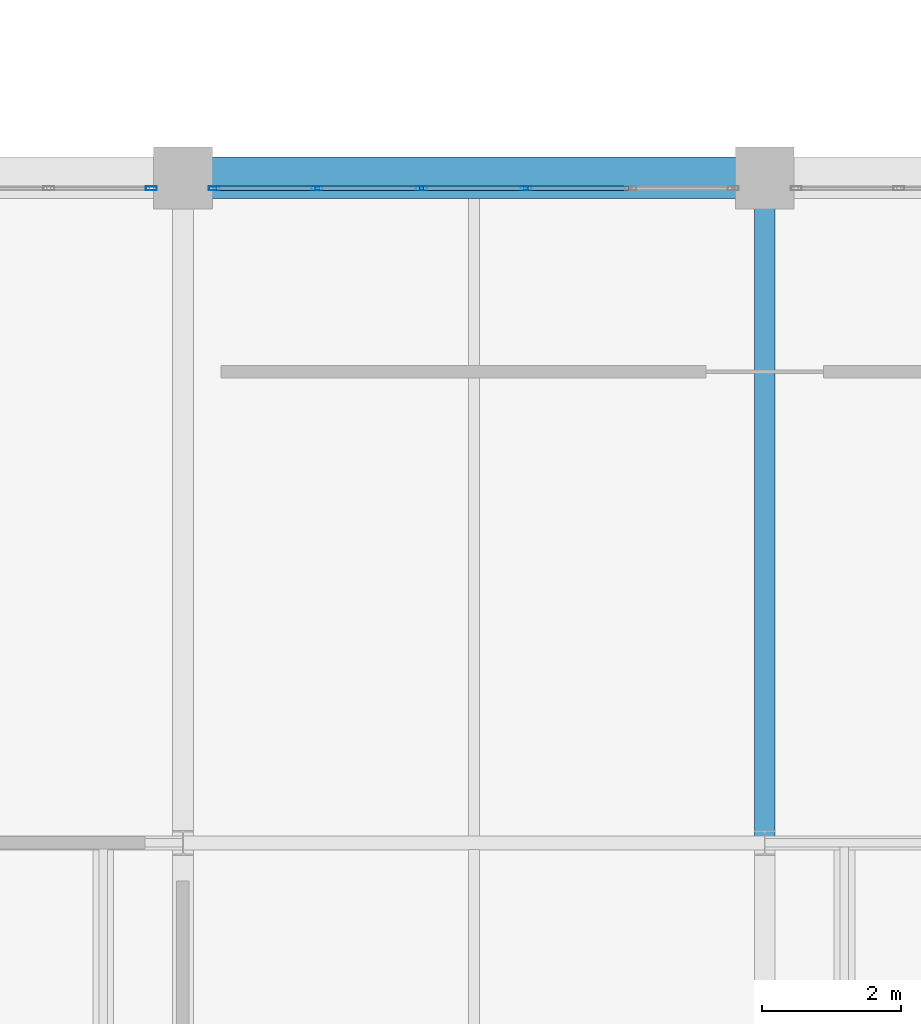
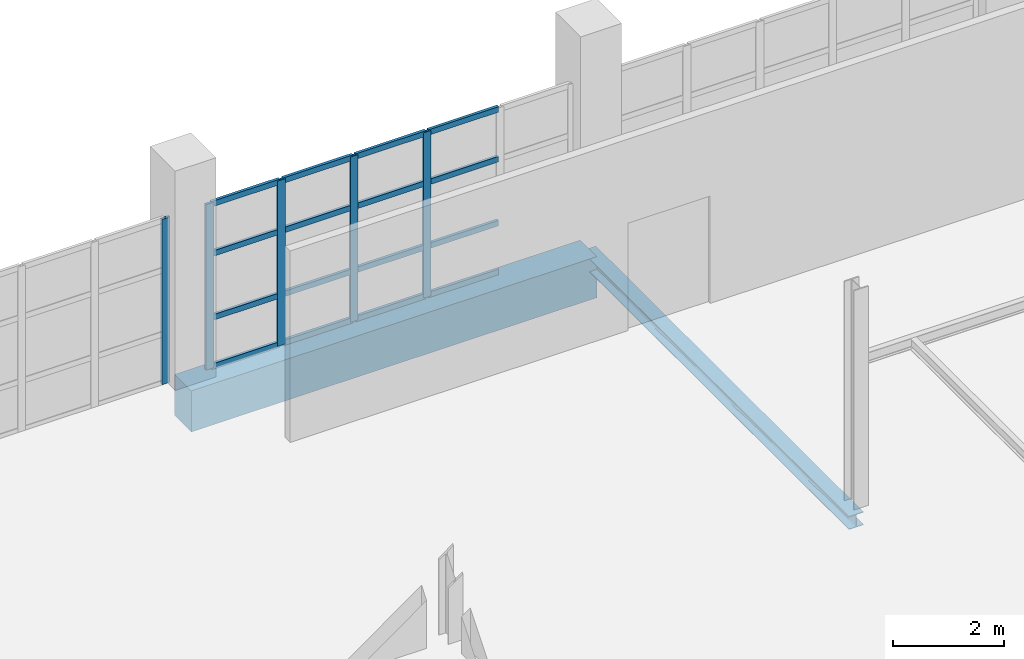
# One storey, part 12 of 29: 21 members, 2 beams, 2 elements without a shape of their own.
"""IFC4 building model written with IfcOpenShell, lengths in metres."""

from ifc_helpers import new_model, si_unit, direction, frame, origin, origin_2d, place, context, subcontext, project, spatial, rectangle, hollow_rectangle, i_section, extrude, material, material_profile, profile_set, type_object, element, aggregate, save


model = new_model("IFC4")

# Units and contexts
model_context = context("Model", 3, precision=1e-05, world=origin(), true_north=direction((0.0, 1.0)))
body_context = subcontext(model_context, "Body", "Model", "MODEL_VIEW")
ifc_project = project(units=[si_unit("LENGTHUNIT", "METRE"), si_unit("AREAUNIT", "SQUARE_METRE"), si_unit("VOLUMEUNIT", "CUBIC_METRE"), si_unit("PLANEANGLEUNIT", "RADIAN"), si_unit("MASSUNIT", "GRAM", prefix="KILO")], contexts=[model_context])

# Site, building, storey
site_placement = place(None, origin())
site = spatial("IfcSite", under=ifc_project, at=site_placement, CompositionType="ELEMENT")
building_placement = place(site_placement, origin())
building = spatial("IfcBuilding", under=site, at=building_placement, Name="Veltarok Museum of Natural Sciences", CompositionType="ELEMENT")
storey_placement = place(building_placement, frame((0.0, 0.0, 26.39990234375)))
storey = spatial("IfcBuildingStorey", under=building, at=storey_placement, Name="L05", CompositionType="ELEMENT", Elevation=26.39990234375)

# Curtain wall, members
ifc_material_1 = material(Name="Low-iron triple insulated glass", Category="glass")
curtain_wall_type = type_object("IfcCurtainWallType", Name="Curtain Wall System CW-V1N-L05-755x362 (V1 North Overlook L05 755x362cm)", PredefinedType="NOTDEFINED", material=ifc_material_1)
curtain_wall_1_placement = place(storey_placement, origin())
curtain_wall_1 = element("IfcCurtainWall", 1, at=curtain_wall_1_placement, inside=storey, type_object=curtain_wall_type, Name="Curtain Wall CW-V1N-L05-755x362 CW-0015", PredefinedType="NOTDEFINED")
ifc_material_2 = material(Name="Thermally broken anodised aluminium", Category="aluminium")
ifc_material_profile_1 = material_profile(ifc_material_2, hollow_rectangle(XDim=0.06005859375, YDim=0.1201171875, WallThickness=0.0048828125, at=origin_2d()), Name="CW TRANSOM 60x120x5")
ifc_profile_set_1 = profile_set([ifc_material_profile_1], Name="Thermally broken anodised aluminium")
member_type_1 = type_object("IfcMemberType", Name="Curtain Wall Horizontal Transom 60x120x5", PredefinedType="USERDEFINED", material=ifc_profile_set_1)
member_1_placement = place(storey_placement, frame((71.635009765625, 19.050048828125, 0.030029296875), z_axis=(-1.0, 0.0, 0.0), x_axis=(0.0, -1.0, 0.0)))
member_1 = element("IfcMember", 2, at=member_1_placement, type_object=member_type_1, Name="CW-V1N-L05-755x362 transom 2.1", ObjectType="TRANSOM", PredefinedType="USERDEFINED", context=body_context, shape_type="SweptSolid", body=[
    extrude(hollow_rectangle(XDim=0.06005859375, YDim=0.1201171875, WallThickness=0.0048828125, at=origin_2d()), origin(), (0.0, 0.0, 1.0), 1.449951171875),
])
member_2_placement = place(storey_placement, frame((71.635009765625, 19.050048828125, 1.10009765625), z_axis=(-1.0, 0.0, 0.0), x_axis=(0.0, -1.0, 0.0)))
member_2 = element("IfcMember", 3, at=member_2_placement, type_object=member_type_1, Name="CW-V1N-L05-755x362 transom 2.2", ObjectType="TRANSOM", PredefinedType="USERDEFINED", context=body_context, shape_type="SweptSolid", body=[
    extrude(hollow_rectangle(XDim=0.06005859375, YDim=0.1201171875, WallThickness=0.0048828125, at=origin_2d()), origin(), (0.0, 0.0, 1.0), 1.449951171875),
])
member_3_placement = place(storey_placement, frame((71.635009765625, 19.050048828125, 2.5), z_axis=(-1.0, 0.0, 0.0), x_axis=(0.0, -1.0, 0.0)))
member_3 = element("IfcMember", 4, at=member_3_placement, type_object=member_type_1, Name="CW-V1N-L05-755x362 transom 2.3", ObjectType="TRANSOM", PredefinedType="USERDEFINED", context=body_context, shape_type="SweptSolid", body=[
    extrude(hollow_rectangle(XDim=0.06005859375, YDim=0.1201171875, WallThickness=0.0048828125, at=origin_2d()), origin(), (0.0, 0.0, 1.0), 1.449951171875),
])
member_4_placement = place(storey_placement, frame((71.635009765625, 19.050048828125, 3.590087890625), z_axis=(-1.0, 0.0, 0.0), x_axis=(0.0, -1.0, 0.0)))
member_4 = element("IfcMember", 5, at=member_4_placement, type_object=member_type_1, Name="CW-V1N-L05-755x362 transom 2.4", ObjectType="TRANSOM", PredefinedType="USERDEFINED", context=body_context, shape_type="SweptSolid", body=[
    extrude(hollow_rectangle(XDim=0.06005859375, YDim=0.1201171875, WallThickness=0.0048828125, at=origin_2d()), origin(), (0.0, 0.0, 1.0), 1.449951171875),
])
member_5_placement = place(storey_placement, frame((70.125, 19.050048828125, 0.030029296875), z_axis=(-1.0, 0.0, 0.0), x_axis=(0.0, -1.0, 0.0)))
member_5 = element("IfcMember", 6, at=member_5_placement, type_object=member_type_1, Name="CW-V1N-L05-755x362 transom 3.1", ObjectType="TRANSOM", PredefinedType="USERDEFINED", context=body_context, shape_type="SweptSolid", body=[
    extrude(hollow_rectangle(XDim=0.06005859375, YDim=0.1201171875, WallThickness=0.0048828125, at=origin_2d()), origin(), (0.0, 0.0, 1.0), 1.449951171875),
])
member_6_placement = place(storey_placement, frame((70.125, 19.050048828125, 1.10009765625), z_axis=(-1.0, 0.0, 0.0), x_axis=(0.0, -1.0, 0.0)))
member_6 = element("IfcMember", 7, at=member_6_placement, type_object=member_type_1, Name="CW-V1N-L05-755x362 transom 3.2", ObjectType="TRANSOM", PredefinedType="USERDEFINED", context=body_context, shape_type="SweptSolid", body=[
    extrude(hollow_rectangle(XDim=0.06005859375, YDim=0.1201171875, WallThickness=0.0048828125, at=origin_2d()), origin(), (0.0, 0.0, 1.0), 1.449951171875),
])
member_7_placement = place(storey_placement, frame((70.125, 19.050048828125, 2.5), z_axis=(-1.0, 0.0, 0.0), x_axis=(0.0, -1.0, 0.0)))
member_7 = element("IfcMember", 8, at=member_7_placement, type_object=member_type_1, Name="CW-V1N-L05-755x362 transom 3.3", ObjectType="TRANSOM", PredefinedType="USERDEFINED", context=body_context, shape_type="SweptSolid", body=[
    extrude(hollow_rectangle(XDim=0.06005859375, YDim=0.1201171875, WallThickness=0.0048828125, at=origin_2d()), origin(), (0.0, 0.0, 1.0), 1.449951171875),
])
member_8_placement = place(storey_placement, frame((70.125, 19.050048828125, 3.590087890625), z_axis=(-1.0, 0.0, 0.0), x_axis=(0.0, -1.0, 0.0)))
member_8 = element("IfcMember", 9, at=member_8_placement, type_object=member_type_1, Name="CW-V1N-L05-755x362 transom 3.4", ObjectType="TRANSOM", PredefinedType="USERDEFINED", context=body_context, shape_type="SweptSolid", body=[
    extrude(hollow_rectangle(XDim=0.06005859375, YDim=0.1201171875, WallThickness=0.0048828125, at=origin_2d()), origin(), (0.0, 0.0, 1.0), 1.449951171875),
])
member_9_placement = place(storey_placement, frame((68.614990234375, 19.050048828125, 0.030029296875), z_axis=(-1.0, 0.0, 0.0), x_axis=(0.0, -1.0, 0.0)))
member_9 = element("IfcMember", 10, at=member_9_placement, type_object=member_type_1, Name="CW-V1N-L05-755x362 transom 4.1", ObjectType="TRANSOM", PredefinedType="USERDEFINED", context=body_context, shape_type="SweptSolid", body=[
    extrude(hollow_rectangle(XDim=0.06005859375, YDim=0.1201171875, WallThickness=0.0048828125, at=origin_2d()), origin(), (0.0, 0.0, 1.0), 1.449951171875),
])
member_10_placement = place(storey_placement, frame((68.614990234375, 19.050048828125, 1.10009765625), z_axis=(-1.0, 0.0, 0.0), x_axis=(0.0, -1.0, 0.0)))
member_10 = element("IfcMember", 11, at=member_10_placement, type_object=member_type_1, Name="CW-V1N-L05-755x362 transom 4.2", ObjectType="TRANSOM", PredefinedType="USERDEFINED", context=body_context, shape_type="SweptSolid", body=[
    extrude(hollow_rectangle(XDim=0.06005859375, YDim=0.1201171875, WallThickness=0.0048828125, at=origin_2d()), origin(), (0.0, 0.0, 1.0), 1.449951171875),
])
member_11_placement = place(storey_placement, frame((68.614990234375, 19.050048828125, 2.5), z_axis=(-1.0, 0.0, 0.0), x_axis=(0.0, -1.0, 0.0)))
member_11 = element("IfcMember", 12, at=member_11_placement, type_object=member_type_1, Name="CW-V1N-L05-755x362 transom 4.3", ObjectType="TRANSOM", PredefinedType="USERDEFINED", context=body_context, shape_type="SweptSolid", body=[
    extrude(hollow_rectangle(XDim=0.06005859375, YDim=0.1201171875, WallThickness=0.0048828125, at=origin_2d()), origin(), (0.0, 0.0, 1.0), 1.449951171875),
])
member_12_placement = place(storey_placement, frame((68.614990234375, 19.050048828125, 3.590087890625), z_axis=(-1.0, 0.0, 0.0), x_axis=(0.0, -1.0, 0.0)))
member_12 = element("IfcMember", 13, at=member_12_placement, type_object=member_type_1, Name="CW-V1N-L05-755x362 transom 4.4", ObjectType="TRANSOM", PredefinedType="USERDEFINED", context=body_context, shape_type="SweptSolid", body=[
    extrude(hollow_rectangle(XDim=0.06005859375, YDim=0.1201171875, WallThickness=0.0048828125, at=origin_2d()), origin(), (0.0, 0.0, 1.0), 1.449951171875),
])
member_13_placement = place(storey_placement, frame((67.10498046875, 19.050048828125, 0.030029296875), z_axis=(-1.0, 0.0, 0.0), x_axis=(0.0, -1.0, 0.0)))
member_13 = element("IfcMember", 14, at=member_13_placement, type_object=member_type_1, Name="CW-V1N-L05-755x362 transom 5.1", ObjectType="TRANSOM", PredefinedType="USERDEFINED", context=body_context, shape_type="SweptSolid", body=[
    extrude(hollow_rectangle(XDim=0.06005859375, YDim=0.1201171875, WallThickness=0.0048828125, at=origin_2d()), origin(), (0.0, 0.0, 1.0), 1.419921875),
])
member_14_placement = place(storey_placement, frame((67.10498046875, 19.050048828125, 1.10009765625), z_axis=(-1.0, 0.0, 0.0), x_axis=(0.0, -1.0, 0.0)))
member_14 = element("IfcMember", 15, at=member_14_placement, type_object=member_type_1, Name="CW-V1N-L05-755x362 transom 5.2", ObjectType="TRANSOM", PredefinedType="USERDEFINED", context=body_context, shape_type="SweptSolid", body=[
    extrude(hollow_rectangle(XDim=0.06005859375, YDim=0.1201171875, WallThickness=0.0048828125, at=origin_2d()), origin(), (0.0, 0.0, 1.0), 1.419921875),
])
member_15_placement = place(storey_placement, frame((67.10498046875, 19.050048828125, 2.5), z_axis=(-1.0, 0.0, 0.0), x_axis=(0.0, -1.0, 0.0)))
member_15 = element("IfcMember", 16, at=member_15_placement, type_object=member_type_1, Name="CW-V1N-L05-755x362 transom 5.3", ObjectType="TRANSOM", PredefinedType="USERDEFINED", context=body_context, shape_type="SweptSolid", body=[
    extrude(hollow_rectangle(XDim=0.06005859375, YDim=0.1201171875, WallThickness=0.0048828125, at=origin_2d()), origin(), (0.0, 0.0, 1.0), 1.419921875),
])
member_16_placement = place(storey_placement, frame((67.10498046875, 19.050048828125, 3.590087890625), z_axis=(-1.0, 0.0, 0.0), x_axis=(0.0, -1.0, 0.0)))
member_16 = element("IfcMember", 17, at=member_16_placement, type_object=member_type_1, Name="CW-V1N-L05-755x362 transom 5.4", ObjectType="TRANSOM", PredefinedType="USERDEFINED", context=body_context, shape_type="SweptSolid", body=[
    extrude(hollow_rectangle(XDim=0.06005859375, YDim=0.1201171875, WallThickness=0.0048828125, at=origin_2d()), origin(), (0.0, 0.0, 1.0), 1.419921875),
])

# Curtain wall, member
curtain_wall_2_placement = place(storey_placement, origin())
curtain_wall_2 = element("IfcCurtainWall", 18, at=curtain_wall_2_placement, inside=storey, type_object=curtain_wall_type, Name="Curtain Wall CW-V1N-L05-755x362 CW-0014", PredefinedType="NOTDEFINED")
ifc_material_profile_2 = material_profile(ifc_material_2, hollow_rectangle(XDim=0.06005859375, YDim=0.159912109375, WallThickness=0.0048828125, at=origin_2d()), Name="CW MULLION 60x160x5")
ifc_profile_set_2 = profile_set([ifc_material_profile_2], Name="Thermally broken anodised aluminium")
member_type_2 = type_object("IfcMemberType", Name="Curtain Wall Vertical Mullion 60x160x5", PredefinedType="MULLION", material=ifc_profile_set_2)
member_17_placement = place(storey_placement, frame((64.7451171875, 19.050048828125, 0.0), z_axis=(0.0, 0.0, 1.0), x_axis=(0.0, -1.0, 0.0)))
member_17 = element("IfcMember", 19, at=member_17_placement, type_object=member_type_2, Name="CW-V1N-L05-755x362 mullion 1", PredefinedType="MULLION", context=body_context, shape_type="SweptSolid", body=[
    extrude(hollow_rectangle(XDim=0.06005859375, YDim=0.159912109375, WallThickness=0.0048828125, at=origin_2d()), origin(), (0.0, 0.0, 1.0), 3.6201171875),
])
aggregate(curtain_wall_2, [member_17])

# Member
member_18_placement = place(storey_placement, frame((70.155029296875, 19.050048828125, 0.0), z_axis=(0.0, 0.0, 1.0), x_axis=(0.0, -1.0, 0.0)))
member_18 = element("IfcMember", 20, at=member_18_placement, type_object=member_type_2, Name="CW-V1N-L05-755x362 mullion 3", PredefinedType="MULLION", context=body_context, shape_type="SweptSolid", body=[
    extrude(hollow_rectangle(XDim=0.06005859375, YDim=0.159912109375, WallThickness=0.0048828125, at=origin_2d()), origin(), (0.0, 0.0, 1.0), 3.6201171875),
])

member_19_placement = place(storey_placement, frame((68.64501953125, 19.050048828125, 0.0), z_axis=(0.0, 0.0, 1.0), x_axis=(0.0, -1.0, 0.0)))
member_19 = element("IfcMember", 21, at=member_19_placement, type_object=member_type_2, Name="CW-V1N-L05-755x362 mullion 4", PredefinedType="MULLION", context=body_context, shape_type="SweptSolid", body=[
    extrude(hollow_rectangle(XDim=0.06005859375, YDim=0.159912109375, WallThickness=0.0048828125, at=origin_2d()), origin(), (0.0, 0.0, 1.0), 3.6201171875),
])

member_20_placement = place(storey_placement, frame((67.135009765625, 19.050048828125, 0.0), z_axis=(0.0, 0.0, 1.0), x_axis=(0.0, -1.0, 0.0)))
member_20 = element("IfcMember", 22, at=member_20_placement, type_object=member_type_2, Name="CW-V1N-L05-755x362 mullion 5", PredefinedType="MULLION", context=body_context, shape_type="SweptSolid", body=[
    extrude(hollow_rectangle(XDim=0.06005859375, YDim=0.159912109375, WallThickness=0.0048828125, at=origin_2d()), origin(), (0.0, 0.0, 1.0), 3.6201171875),
])

member_21_placement = place(storey_placement, frame((65.655029296875, 19.050048828125, 0.0), z_axis=(0.0, 0.0, 1.0), x_axis=(0.0, -1.0, 0.0)))
member_21 = element("IfcMember", 23, at=member_21_placement, type_object=member_type_2, Name="CW-V1N-L05-755x362 mullion 6", PredefinedType="MULLION", context=body_context, shape_type="SweptSolid", body=[
    extrude(hollow_rectangle(XDim=0.06005859375, YDim=0.159912109375, WallThickness=0.0048828125, at=origin_2d()), origin(), (0.0, 0.0, 1.0), 3.6201171875),
])

aggregate(curtain_wall_1, [member_18, member_19, member_20, member_21, member_1, member_2, member_3, member_4, member_5, member_6, member_7, member_8, member_9, member_10, member_11, member_12, member_13, member_14, member_15, member_16])

# Beams
ifc_material_3 = material(Name="Concrete C40/50", Category="concrete")
ifc_material_profile_3 = material_profile(ifc_material_3, rectangle(XDim=0.60009765625, YDim=0.89990234375, at=origin_2d()), Name="RC 600x900")
ifc_profile_set_3 = profile_set([ifc_material_profile_3], Name="Concrete C40/50")
beam_type_1 = type_object("IfcBeamType", Name="Exposed Cabinet Perimeter Spandrel RC 600x900", PredefinedType="SPANDREL", material=ifc_profile_set_3)
beam_1_placement = place(storey_placement, frame((65.199951171875, 19.199951171875, -0.699951171875), z_axis=(1.0, 0.0, 0.0), x_axis=(0.0, 1.0, 0.0)))
element("IfcBeam", 24, at=beam_1_placement, inside=storey, type_object=beam_type_1, Name="Beam BM-SP01 L05 8-9/C", PredefinedType="SPANDREL", context=body_context, shape_type="SweptSolid", body=[
    extrude(rectangle(XDim=0.60009765625, YDim=0.89990234375, at=origin_2d()), origin(), (0.0, 0.0, 1.0), 8.400146484375),
])
ifc_material_4 = material(Name="Steel S355J2", Category="steel")
ifc_material_profile_4 = material_profile(ifc_material_4, i_section(OverallWidth=0.300048828125, OverallDepth=0.2900390625, WebThickness=0.008544921875, FlangeThickness=0.013916015625, FilletRadius=0.027099609375, at=origin_2d()), Name="HEA 300")
ifc_profile_set_4 = profile_set([ifc_material_profile_4], Name="Steel S355J2")
beam_type_2 = type_object("IfcBeamType", Name="Glazed Hall Edge Spandrel HEA 300", PredefinedType="SPANDREL", material=ifc_profile_set_4)
beam_2_placement = place(storey_placement, frame((73.60009765625, 9.60009765625, -0.39501953125), z_axis=(0.0, 1.0, 0.0), x_axis=(-1.0, 0.0, 0.0)))
element("IfcBeam", 25, at=beam_2_placement, inside=storey, type_object=beam_type_2, Name="Beam BM-SP03 L05 9/B-C", PredefinedType="SPANDREL", context=body_context, shape_type="SweptSolid", body=[
    extrude(i_section(OverallWidth=0.300048828125, OverallDepth=0.2900390625, WebThickness=0.008544921875, FlangeThickness=0.013916015625, FilletRadius=0.027099609375, at=origin_2d()), origin(), (0.0, 0.0, 1.0), 9.599853515625),
])

save(model, "model.ifc")
